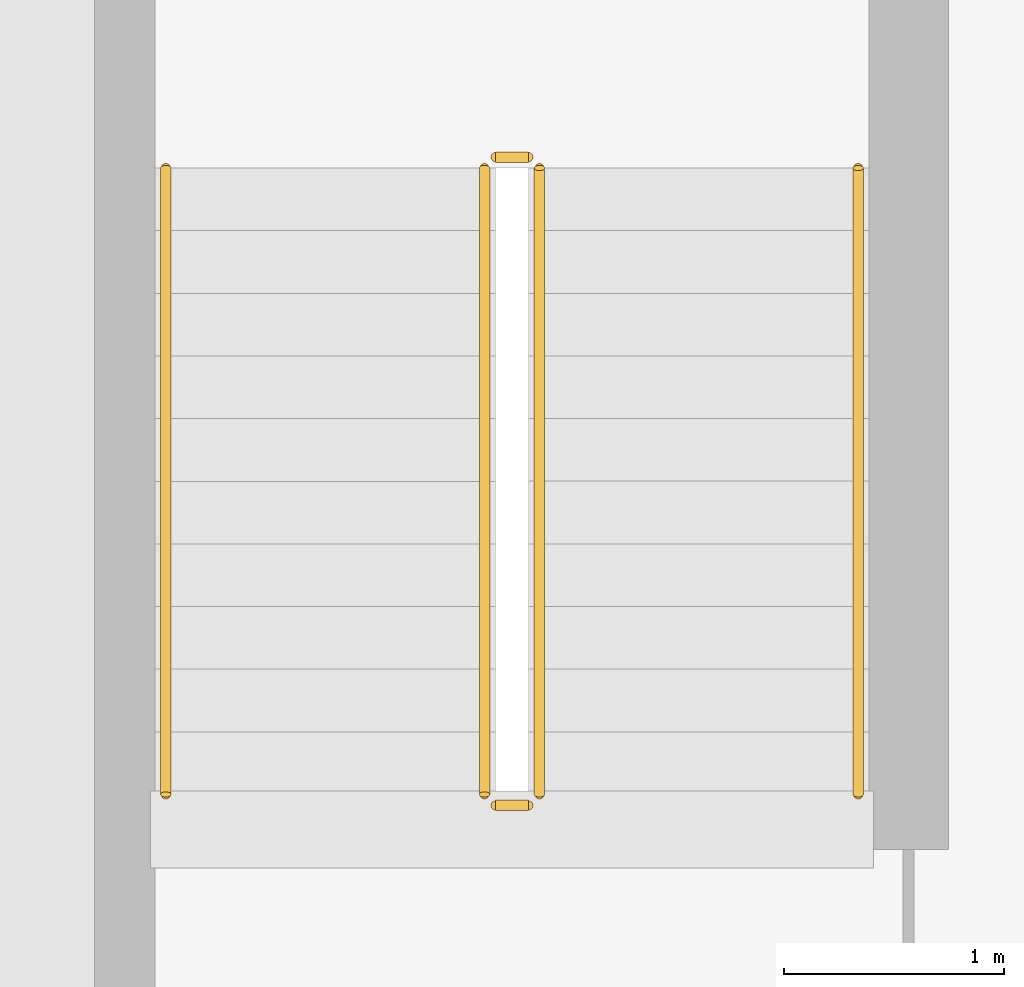
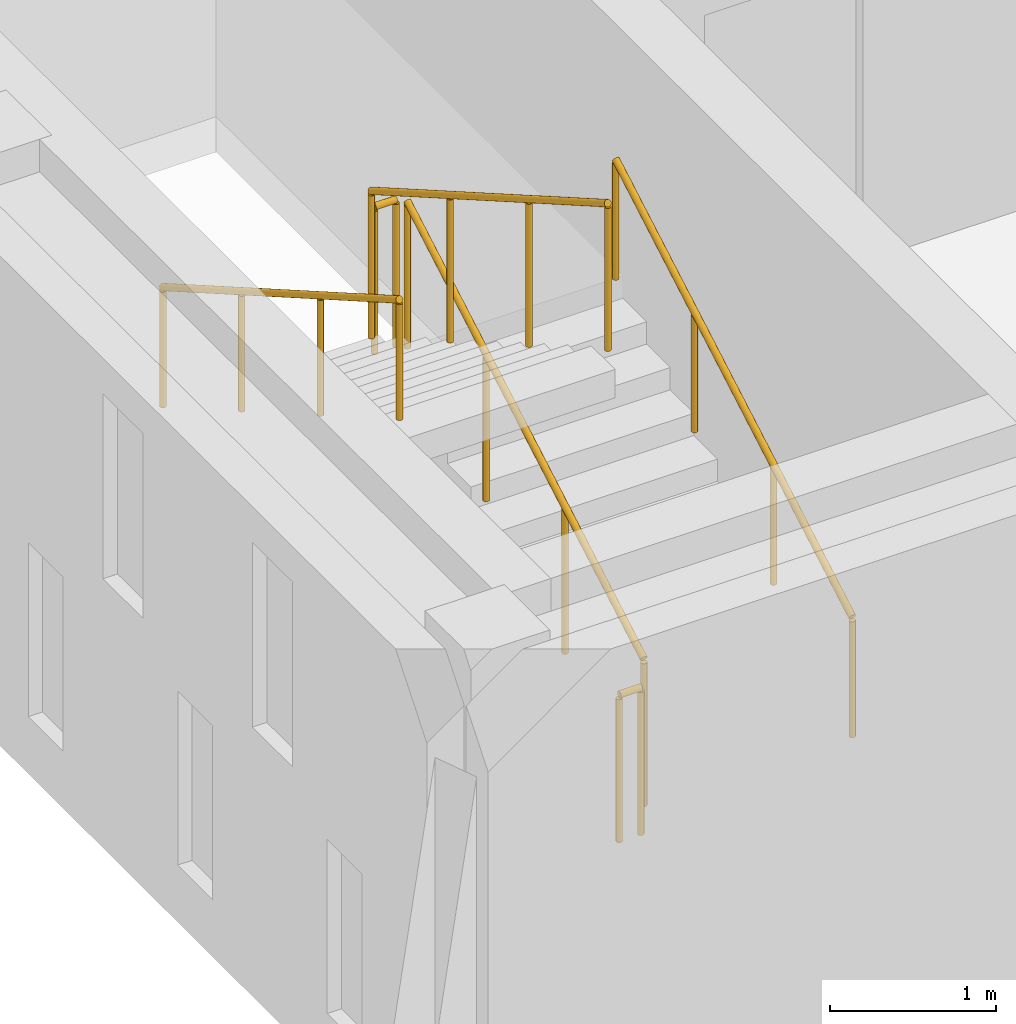
# One storey, part 141 of 155: 6 railings.
"""IFC4 building model written with IfcOpenShell, lengths in metres."""

from ifc_helpers import new_model, si_unit, direction, frame, origin, origin_2d, place, context, subcontext, project, spatial, circle, extrude, material, type_object, element, save


model = new_model("IFC4")

# Units and contexts
model_context = context("Model", 3, precision=1e-05, world=origin(), true_north=direction((0.0, 1.0)))
body_context = subcontext(model_context, "Body", "Model", "MODEL_VIEW")
ifc_project = project(units=[si_unit("LENGTHUNIT", "METRE"), si_unit("AREAUNIT", "SQUARE_METRE"), si_unit("VOLUMEUNIT", "CUBIC_METRE"), si_unit("PLANEANGLEUNIT", "RADIAN"), si_unit("MASSUNIT", "GRAM", prefix="KILO")], contexts=[model_context])

# Site, building, storey
site_placement = place(None, origin())
site = spatial("IfcSite", under=ifc_project, at=site_placement, CompositionType="ELEMENT")
building_placement = place(site_placement, origin())
building = spatial("IfcBuilding", under=site, at=building_placement, Name="Larkveld Mobility Hub", CompositionType="ELEMENT")
storey_placement = place(building_placement, frame((0.0, 0.0, 8.39990234375)))
storey = spatial("IfcBuildingStorey", under=building, at=storey_placement, Name="L02", CompositionType="ELEMENT", Elevation=8.39990234375)

# Railings
ifc_material_1 = material(Name="Galvanized Steel S355JR balustrade", Category="steel")
railing_type_1 = type_object("IfcRailingType", Name="RL-GRD-1100", PredefinedType="GUARDRAIL", material=ifc_material_1)
railing_1_placement = place(storey_placement, frame((86.300048828125, 86.10009765625, 0.163818359375)))
element("IfcRailing", 1, at=railing_1_placement, inside=storey, type_object=railing_type_1, Name="L02 ST5 stair guard 1", PredefinedType="GUARDRAIL", context=body_context, shape_type="SweptSolid", body=[
    extrude(circle(Radius=0.02392578125, at=origin_2d()), frame((0.0, 0.0, 1.076171875), z_axis=(0.0, 0.867226363773, 0.497914082927), x_axis=(-1.0, 0.0, 0.0)), (0.0, 0.0, 1.0), 3.2861328125),
    extrude(circle(Radius=0.02099609375, at=origin_2d()), origin(), (0.0, 0.0, 1.0), 1.052001953125),
    extrude(circle(Radius=0.02099609375, at=origin_2d()), frame((0.0, 0.949951171875, 0.54541015625)), (0.0, 0.0, 1.0), 1.052001953125),
    extrude(circle(Radius=0.02099609375, at=origin_2d()), frame((0.0, 1.89990234375, 1.0908203125)), (0.0, 0.0, 1.0), 1.052001953125),
    extrude(circle(Radius=0.02099609375, at=origin_2d()), frame((0.0, 2.849853515625, 1.63623046875)), (0.0, 0.0, 1.0), 1.052001953125),
])
railing_2_placement = place(storey_placement, frame((86.25, 89.0, 1.800048828125)))
element("IfcRailing", 2, at=railing_2_placement, inside=storey, type_object=railing_type_1, Name="L02 ST5 stair guard 2", PredefinedType="GUARDRAIL", context=body_context, shape_type="SweptSolid", body=[
    extrude(circle(Radius=0.02392578125, at=origin_2d()), frame((0.0, 0.0, 1.076171875), z_axis=(-1.0, 0.0, 0.0), x_axis=(0.0, -1.0, 0.0)), (0.0, 0.0, 1.0), 0.14990234375),
    extrude(circle(Radius=0.02099609375, at=origin_2d()), origin(), (0.0, 0.0, 1.0), 1.052001953125),
    extrude(circle(Radius=0.02099609375, at=origin_2d()), frame((-0.14990234375, 0.0, 0.0)), (0.0, 0.0, 1.0), 1.052001953125),
])
railing_3_placement = place(storey_placement, frame((86.050048828125, 88.949951171875, 1.963623046875)))
element("IfcRailing", 3, at=railing_3_placement, inside=storey, type_object=railing_type_1, Name="L02 ST5 stair guard 3", PredefinedType="GUARDRAIL", context=body_context, shape_type="SweptSolid", body=[
    extrude(circle(Radius=0.02392578125, at=origin_2d()), frame((0.0, 0.0, 1.076171875), z_axis=(0.0, -0.867194282975, 0.497969954491), x_axis=(1.0, 0.0, 0.0)), (0.0, 0.0, 1.0), 3.286376953125),
    extrude(circle(Radius=0.02099609375, at=origin_2d()), origin(), (0.0, 0.0, 1.0), 1.052001953125),
    extrude(circle(Radius=0.02099609375, at=origin_2d()), frame((0.0, -0.949951171875, 0.54541015625)), (0.0, 0.0, 1.0), 1.052001953125),
    extrude(circle(Radius=0.02099609375, at=origin_2d()), frame((0.0, -1.89990234375, 1.091064453125)), (0.0, 0.0, 1.0), 1.052001953125),
    extrude(circle(Radius=0.02099609375, at=origin_2d()), frame((0.0, -2.849853515625, 1.636474609375)), (0.0, 0.0, 1.0), 1.052001953125),
])
railing_4_placement = place(storey_placement, frame((86.25, 86.050048828125, 0.0)))
element("IfcRailing", 4, at=railing_4_placement, inside=storey, type_object=railing_type_1, Name="L02 ST5 stair guard 4", PredefinedType="GUARDRAIL", context=body_context, shape_type="SweptSolid", body=[
    extrude(circle(Radius=0.02392578125, at=origin_2d()), frame((0.0, 0.0, 1.076171875), z_axis=(-1.0, 0.0, 0.0), x_axis=(0.0, -1.0, 0.0)), (0.0, 0.0, 1.0), 0.14990234375),
    extrude(circle(Radius=0.02099609375, at=origin_2d()), origin(), (0.0, 0.0, 1.0), 1.052001953125),
    extrude(circle(Radius=0.02099609375, at=origin_2d()), frame((-0.14990234375, 0.0, 0.0)), (0.0, 0.0, 1.0), 1.052001953125),
])
ifc_material_2 = material(Name="Brushed Steel S355JR tubular handrail", Category="steel")
railing_type_2 = type_object("IfcRailingType", Name="RL-HND-0900", PredefinedType="HANDRAIL", material=ifc_material_2)
railing_5_placement = place(storey_placement, frame((87.75, 86.10009765625, 0.163818359375)))
element("IfcRailing", 5, at=railing_5_placement, inside=storey, type_object=railing_type_2, Name="L02 ST5 stair handrail 1", PredefinedType="HANDRAIL", context=body_context, shape_type="SweptSolid", body=[
    extrude(circle(Radius=0.02392578125, at=origin_2d()), frame((0.0, 0.0, 0.8759765625), z_axis=(0.0, 0.867226363773, 0.497914082927), x_axis=(-1.0, 0.0, 0.0)), (0.0, 0.0, 1.0), 3.2861328125),
    extrude(circle(Radius=0.02099609375, at=origin_2d()), origin(), (0.0, 0.0, 1.0), 0.851806640625),
    extrude(circle(Radius=0.02099609375, at=origin_2d()), frame((0.0, 0.949951171875, 0.54541015625)), (0.0, 0.0, 1.0), 0.851806640625),
    extrude(circle(Radius=0.02099609375, at=origin_2d()), frame((0.0, 1.89990234375, 1.0908203125)), (0.0, 0.0, 1.0), 0.851806640625),
    extrude(circle(Radius=0.02099609375, at=origin_2d()), frame((0.0, 2.849853515625, 1.63623046875)), (0.0, 0.0, 1.0), 0.851806640625),
])
railing_6_placement = place(storey_placement, frame((84.60009765625, 88.949951171875, 1.963623046875)))
element("IfcRailing", 6, at=railing_6_placement, inside=storey, type_object=railing_type_2, Name="L02 ST5 stair handrail 2", PredefinedType="HANDRAIL", context=body_context, shape_type="SweptSolid", body=[
    extrude(circle(Radius=0.02392578125, at=origin_2d()), frame((0.0, 0.0, 0.8759765625), z_axis=(0.0, -0.867194282975, 0.497969954491), x_axis=(1.0, 0.0, 0.0)), (0.0, 0.0, 1.0), 3.286376953125),
    extrude(circle(Radius=0.02099609375, at=origin_2d()), origin(), (0.0, 0.0, 1.0), 0.851806640625),
    extrude(circle(Radius=0.02099609375, at=origin_2d()), frame((0.0, -0.949951171875, 0.54541015625)), (0.0, 0.0, 1.0), 0.851806640625),
    extrude(circle(Radius=0.02099609375, at=origin_2d()), frame((0.0, -1.89990234375, 1.091064453125)), (0.0, 0.0, 1.0), 0.851806640625),
    extrude(circle(Radius=0.02099609375, at=origin_2d()), frame((0.0, -2.849853515625, 1.636474609375)), (0.0, 0.0, 1.0), 0.851806640625),
])

save(model, "model.ifc")
